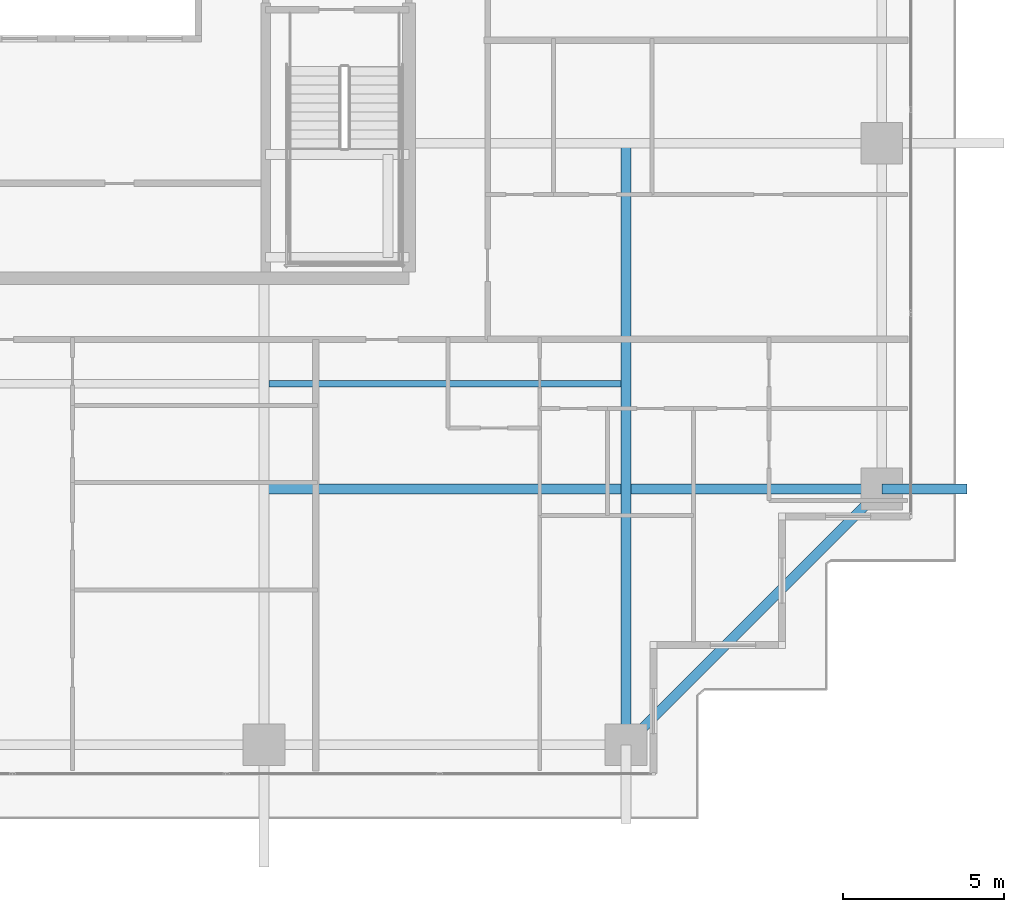
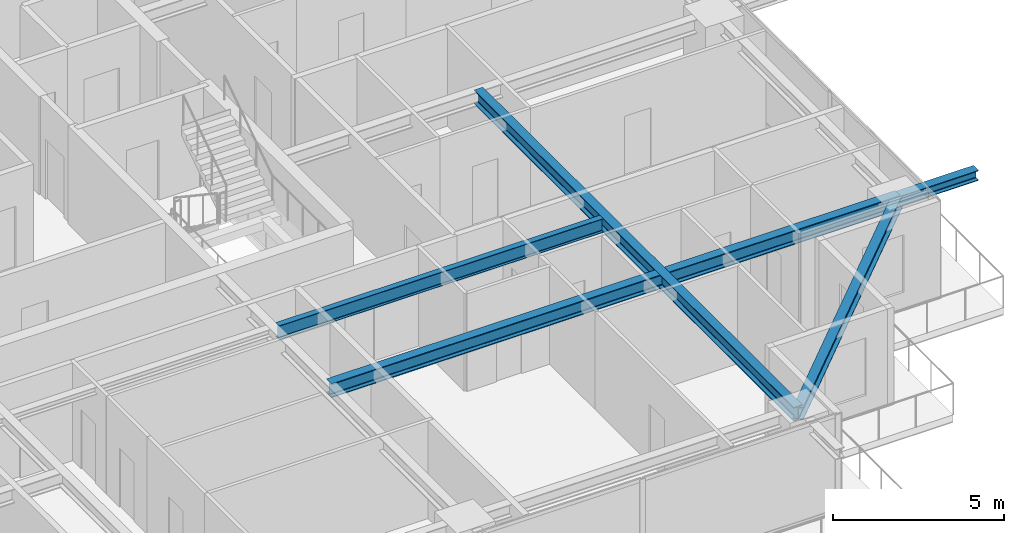
# One storey, part 13 of 37: 5 beams.
"""IFC4 building model written with IfcOpenShell, lengths in metres."""

from ifc_helpers import new_model, si_unit, direction, frame, origin, origin_2d, place, context, subcontext, project, spatial, i_section, extrude, source, transform, mapped, material, material_profile, profile_set, type_object, element, save


model = new_model("IFC4")

# Units and contexts
model_context = context("Model", 3, precision=1e-05, world=origin(), true_north=direction((0.0, 1.0)))
body_context = subcontext(model_context, "Body", "Model", "MODEL_VIEW")
ifc_project = project(units=[si_unit("LENGTHUNIT", "METRE"), si_unit("AREAUNIT", "SQUARE_METRE"), si_unit("VOLUMEUNIT", "CUBIC_METRE"), si_unit("PLANEANGLEUNIT", "RADIAN"), si_unit("MASSUNIT", "GRAM", prefix="KILO")], contexts=[model_context])

# Site, building, storey
site_placement = place(None, origin())
site = spatial("IfcSite", under=ifc_project, at=site_placement, CompositionType="ELEMENT")
building_placement = place(site_placement, origin())
building = spatial("IfcBuilding", under=site, at=building_placement, Name="Serunith Strait Residences", CompositionType="ELEMENT")
storey_placement = place(building_placement, frame((0.0, 0.0, 127.64990234375)))
storey = spatial("IfcBuildingStorey", under=building, at=storey_placement, Name="L31", CompositionType="ELEMENT", Elevation=127.64990234375)

# Beams
ifc_material = material(Name="Steel S355J2", Category="steel")
ifc_material_profile_1 = material_profile(ifc_material, i_section(OverallWidth=0.300048828125, OverallDepth=0.5, WebThickness=0.014404296875, FlangeThickness=0.028076171875, FilletRadius=0.027099609375, at=origin_2d()), Name="HEB 500")
ifc_profile_set_1 = profile_set([ifc_material_profile_1], Name="Steel S355J2")
beam_type_1 = type_object("IfcBeamType", Name="BM-HEB500", PredefinedType="BEAM", material=ifc_profile_set_1)
shared_shape_1 = source(origin(), body_context, "Body", "SweptSolid", [
    extrude(i_section(OverallWidth=0.300048828125, OverallDepth=0.5, WebThickness=0.014404296875, FlangeThickness=0.028076171875, FilletRadius=0.027099609375, at=origin_2d()), origin(), (0.0, 0.0, 1.0), 18.699951171875),
])
beam_1_placement = place(storey_placement, frame((48.14990234375, 21.0, 3.237060546875), z_axis=(0.0, -1.0, 0.0), x_axis=(1.0, 0.0, 0.0)))
element("IfcBeam", 1, at=beam_1_placement, inside=storey, type_object=beam_type_1, Name="L31 Orthogonal Corner Girder TC-S4", PredefinedType="BEAM", context=body_context, shape_type="MappedRepresentation", body=[
    mapped(shared_shape_1, transform((0.0, 0.0, 0.0), scale=1.0)),
])
shared_shape_2 = source(origin(), body_context, "Body", "SweptSolid", [
    extrude(i_section(OverallWidth=0.300048828125, OverallDepth=0.5, WebThickness=0.014404296875, FlangeThickness=0.028076171875, FilletRadius=0.027099609375, at=origin_2d()), origin(), (0.0, 0.0, 1.0), 19.2001953125),
])
beam_2_placement = place(storey_placement, frame((36.89990234375, 10.25, 3.237060546875), z_axis=(1.0, 0.0, 0.0), x_axis=(0.0, 1.0, 0.0)))
element("IfcBeam", 2, at=beam_2_placement, inside=storey, type_object=beam_type_1, Name="L31 Orthogonal Corner Girder TC-E1", PredefinedType="BEAM", context=body_context, shape_type="MappedRepresentation", body=[
    mapped(shared_shape_2, transform((0.0, 0.0, 0.0), scale=1.0)),
])
ifc_material_profile_2 = material_profile(ifc_material, i_section(OverallWidth=0.300048828125, OverallDepth=0.449951171875, WebThickness=0.013916015625, FlangeThickness=0.02587890625, FilletRadius=0.027099609375, at=origin_2d()), Name="HEB 450")
ifc_profile_set_2 = profile_set([ifc_material_profile_2], Name="Steel S355J2")
beam_type_2 = type_object("IfcBeamType", Name="BM-HEB450", PredefinedType="BEAM", material=ifc_profile_set_2)
shared_shape_3 = source(origin(), body_context, "Body", "SweptSolid", [
    extrude(i_section(OverallWidth=0.300048828125, OverallDepth=0.449951171875, WebThickness=0.013916015625, FlangeThickness=0.02587890625, FilletRadius=0.027099609375, at=origin_2d()), origin(), (0.0, 0.0, 1.0), 11.2431640625),
])
beam_3_placement = place(storey_placement, frame((48.14990234375, 2.300048828125, 3.232177734375), z_axis=(0.707117638455, 0.707095923751, 0.0), x_axis=(-0.707095923751, 0.707117638455, 0.0)))
element("IfcBeam", 3, at=beam_3_placement, inside=storey, type_object=beam_type_2, Name="L31 Perimeter Ring Beam 04", PredefinedType="BEAM", context=body_context, shape_type="MappedRepresentation", body=[
    mapped(shared_shape_3, transform((0.0, 0.0, 0.0), scale=1.0)),
])
ifc_material_profile_3 = material_profile(ifc_material, i_section(OverallWidth=0.199951171875, OverallDepth=0.5, WebThickness=0.01025390625, FlangeThickness=0.01611328125, FilletRadius=0.02099609375, at=origin_2d()), Name="IPE 500")
ifc_profile_set_3 = profile_set([ifc_material_profile_3], Name="Steel S355J2")
beam_type_3 = type_object("IfcBeamType", Name="BM-IPE500", PredefinedType="JOIST", material=ifc_profile_set_3)
shared_shape_4 = source(origin(), body_context, "Body", "SweptSolid", [
    extrude(i_section(OverallWidth=0.199951171875, OverallDepth=0.5, WebThickness=0.01025390625, FlangeThickness=0.01611328125, FilletRadius=0.02099609375, at=origin_2d()), origin(), (0.0, 0.0, 1.0), 10.949951171875),
])
beam_4_placement = place(storey_placement, frame((37.050048828125, 13.52490234375, 3.237060546875), z_axis=(1.0, 0.0, 0.0), x_axis=(0.0, 1.0, 0.0)))
element("IfcBeam", 4, at=beam_4_placement, inside=storey, type_object=beam_type_3, Name="L31 Composite Floor Joist 03", PredefinedType="JOIST", context=body_context, shape_type="MappedRepresentation", body=[
    mapped(shared_shape_4, transform((0.0, 0.0, 0.0), scale=1.0)),
])
ifc_material_profile_4 = material_profile(ifc_material, i_section(OverallWidth=0.300048828125, OverallDepth=0.360107421875, WebThickness=0.012451171875, FlangeThickness=0.0224609375, FilletRadius=0.027099609375, at=origin_2d()), Name="HEB 360")
ifc_profile_set_4 = profile_set([ifc_material_profile_4], Name="Steel S355J2")
beam_type_4 = type_object("IfcBeamType", Name="BM-HEB360", PredefinedType="BEAM", material=ifc_profile_set_4)
shared_shape_5 = source(origin(), body_context, "Body", "SweptSolid", [
    extrude(i_section(OverallWidth=0.300048828125, OverallDepth=0.360107421875, WebThickness=0.012451171875, FlangeThickness=0.0224609375, FilletRadius=0.027099609375, at=origin_2d()), origin(), (0.0, 0.0, 1.0), 2.647216796875),
])
beam_5_placement = place(storey_placement, frame((56.10009765625, 10.25, 3.277099609375), z_axis=(1.0, 0.0, 0.0), x_axis=(0.0, 1.0, 0.0)))
element("IfcBeam", 5, at=beam_5_placement, inside=storey, type_object=beam_type_4, Name="L32 Cantilevered Balcony Rib TC-E1", PredefinedType="BEAM", context=body_context, shape_type="MappedRepresentation", body=[
    mapped(shared_shape_5, transform((0.0, 0.0, 0.0), scale=1.0)),
])

save(model, "model.ifc")
